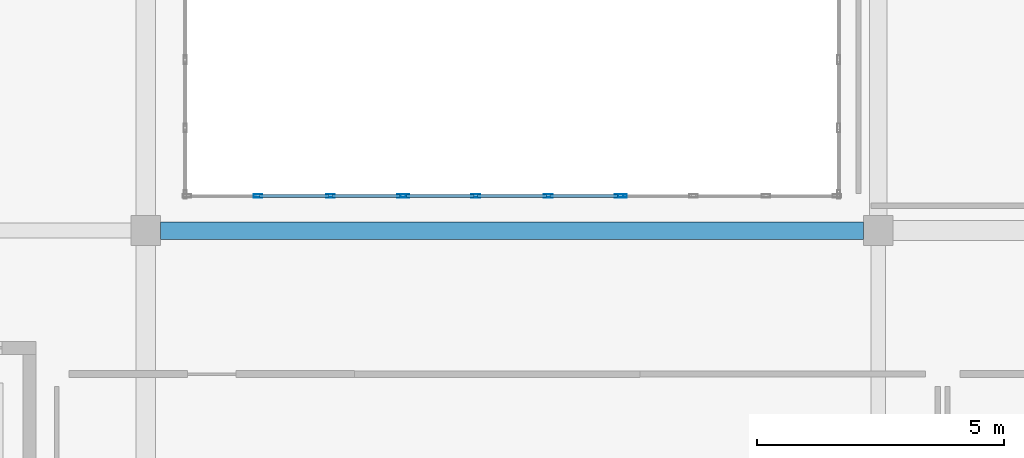
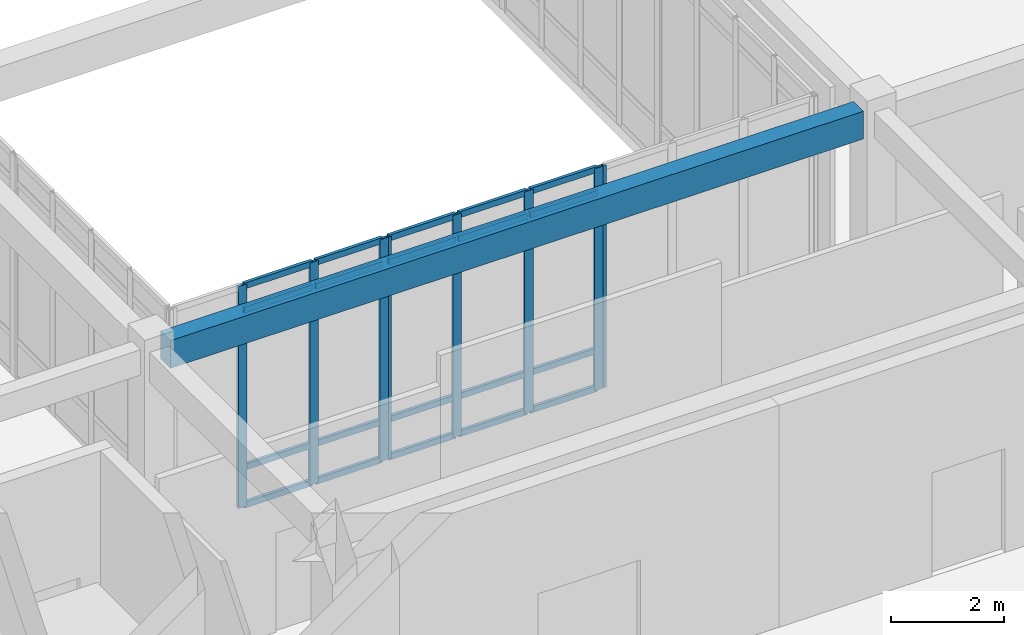
# One storey, part 50 of 121: 28 members, 1 beam, 3 elements without a shape of their own.
"""IFC4 building model written with IfcOpenShell, lengths in metres."""

from ifc_helpers import new_model, si_unit, direction, frame, origin, origin_2d, place, context, subcontext, project, spatial, rectangle, hollow_rectangle, extrude, material, layer, layer_set, material_profile, profile_set, type_object, element, aggregate, save


model = new_model("IFC4")

# Units and contexts
model_context = context("Model", 3, precision=1e-05, world=origin(), true_north=direction((0.0, 1.0)))
body_context = subcontext(model_context, "Body", "Model", "MODEL_VIEW")
ifc_project = project(units=[si_unit("LENGTHUNIT", "METRE"), si_unit("AREAUNIT", "SQUARE_METRE"), si_unit("VOLUMEUNIT", "CUBIC_METRE"), si_unit("PLANEANGLEUNIT", "RADIAN"), si_unit("MASSUNIT", "GRAM", prefix="KILO")], contexts=[model_context])

# Site, building, storey
site_placement = place(None, origin())
site = spatial("IfcSite", under=ifc_project, at=site_placement, CompositionType="ELEMENT")
building_placement = place(site_placement, origin())
building = spatial("IfcBuilding", under=site, at=building_placement, Name="Valcora Specialist Clinic", CompositionType="ELEMENT")
storey_placement = place(building_placement, origin())
storey = spatial("IfcBuildingStorey", under=building, at=storey_placement, Name="L00", CompositionType="ELEMENT", Elevation=0.0)

# Beam
ifc_material_1 = material(Name="Concrete C40/50", Category="concrete")
ifc_material_profile_1 = material_profile(ifc_material_1, rectangle(XDim=0.35009765625, YDim=0.60009765625, at=origin_2d()), Name="RC-BM-350X600")
ifc_profile_set_1 = profile_set([ifc_material_profile_1], Name="Concrete C40/50")
beam_type = type_object("IfcBeamType", Name="TY-BM-RC350X600", PredefinedType="BEAM", material=ifc_profile_set_1)
beam_placement = place(storey_placement, frame((76.300048828125, 81.300048828125, 4.510009765625), z_axis=(1.0, 0.0, 0.0), x_axis=(0.0, 1.0, 0.0)))
element("IfcBeam", 1, at=beam_placement, inside=storey, type_object=beam_type, Name="Beam BM-L00-0542", PredefinedType="BEAM", context=body_context, shape_type="SweptSolid", body=[
    extrude(rectangle(XDim=0.35009765625, YDim=0.60009765625, at=origin_2d()), origin(), (0.0, 0.0, 1.0), 14.199951171875),
])

# Curtain wall, members
ifc_material_2 = material(Name="Anodized Bronze Aluminium 6063-T6", Category="aluminium")
ifc_layer = layer(ifc_material_2, 0.175048828125)
ifc_layer_set = layer_set([ifc_layer], Name="Anodized Bronze Aluminium 6063-T6")
curtain_wall_type = type_object("IfcCurtainWallType", Name="TY-CW-CRT15", PredefinedType="NOTDEFINED", material=ifc_layer_set)
curtain_wall_1_placement = place(storey_placement, origin())
curtain_wall_1 = element("IfcCurtainWall", 2, at=curtain_wall_1_placement, inside=storey, type_object=curtain_wall_type, Name="Curtain wall CW-L00-029", PredefinedType="NOTDEFINED")
ifc_material_profile_2 = material_profile(ifc_material_2, hollow_rectangle(XDim=0.06494140625, YDim=0.175048828125, WallThickness=0.00390625, at=origin_2d()), Name="AL-MUL-65X175")
ifc_profile_set_2 = profile_set([ifc_material_profile_2], Name="Anodized Bronze Aluminium 6063-T6")
member_type_1 = type_object("IfcMemberType", Name="TY-CWM-65X175", PredefinedType="MULLION", material=ifc_profile_set_2)
member_1_placement = place(storey_placement, frame((78.2666015625, 82.0, 0.0), z_axis=(0.0, 0.0, 1.0), x_axis=(0.0, 1.0, 0.0)))
member_1 = element("IfcMember", 3, at=member_1_placement, type_object=member_type_1, Name="CW-CRT-15 mullion 2", PredefinedType="MULLION", context=body_context, shape_type="SweptSolid", body=[
    extrude(hollow_rectangle(XDim=0.06494140625, YDim=0.175048828125, WallThickness=0.00390625, at=origin_2d()), origin(), (0.0, 0.0, 1.0), 4.81005859375),
])
member_2_placement = place(storey_placement, frame((79.7333984375, 82.0, 0.0), z_axis=(0.0, 0.0, 1.0), x_axis=(0.0, 1.0, 0.0)))
member_2 = element("IfcMember", 4, at=member_2_placement, type_object=member_type_1, Name="CW-CRT-15 mullion 3", PredefinedType="MULLION", context=body_context, shape_type="SweptSolid", body=[
    extrude(hollow_rectangle(XDim=0.06494140625, YDim=0.175048828125, WallThickness=0.00390625, at=origin_2d()), origin(), (0.0, 0.0, 1.0), 4.81005859375),
])
member_3_placement = place(storey_placement, frame((81.16748046875, 82.0, 0.0), z_axis=(0.0, 0.0, 1.0), x_axis=(0.0, 1.0, 0.0)))
member_3 = element("IfcMember", 5, at=member_3_placement, type_object=member_type_1, Name="CW-CRT-15 mullion 4", PredefinedType="MULLION", context=body_context, shape_type="SweptSolid", body=[
    extrude(hollow_rectangle(XDim=0.06494140625, YDim=0.175048828125, WallThickness=0.00390625, at=origin_2d()), origin(), (0.0, 0.0, 1.0), 4.81005859375),
])

curtain_wall_2_placement = place(storey_placement, origin())
curtain_wall_2 = element("IfcCurtainWall", 6, at=curtain_wall_2_placement, inside=storey, type_object=curtain_wall_type, Name="Curtain wall CW-L00-030", PredefinedType="NOTDEFINED")
member_4_placement = place(storey_placement, frame((81.232421875, 82.0, 0.0), z_axis=(0.0, 0.0, 1.0), x_axis=(0.0, 1.0, 0.0)))
member_4 = element("IfcMember", 7, at=member_4_placement, type_object=member_type_1, Name="CW-CRT-15 mullion 1", PredefinedType="MULLION", context=body_context, shape_type="SweptSolid", body=[
    extrude(hollow_rectangle(XDim=0.06494140625, YDim=0.175048828125, WallThickness=0.00390625, at=origin_2d()), origin(), (0.0, 0.0, 1.0), 4.81005859375),
])
member_5_placement = place(storey_placement, frame((82.666748046875, 82.0, 0.0), z_axis=(0.0, 0.0, 1.0), x_axis=(0.0, 1.0, 0.0)))
member_5 = element("IfcMember", 8, at=member_5_placement, type_object=member_type_1, Name="CW-CRT-15 mullion 2", PredefinedType="MULLION", context=body_context, shape_type="SweptSolid", body=[
    extrude(hollow_rectangle(XDim=0.06494140625, YDim=0.175048828125, WallThickness=0.00390625, at=origin_2d()), origin(), (0.0, 0.0, 1.0), 4.81005859375),
])
member_6_placement = place(storey_placement, frame((84.13330078125, 82.0, 0.0), z_axis=(0.0, 0.0, 1.0), x_axis=(0.0, 1.0, 0.0)))
member_6 = element("IfcMember", 9, at=member_6_placement, type_object=member_type_1, Name="CW-CRT-15 mullion 3", PredefinedType="MULLION", context=body_context, shape_type="SweptSolid", body=[
    extrude(hollow_rectangle(XDim=0.06494140625, YDim=0.175048828125, WallThickness=0.00390625, at=origin_2d()), origin(), (0.0, 0.0, 1.0), 4.81005859375),
])
member_7_placement = place(storey_placement, frame((85.5673828125, 82.0, 0.0), z_axis=(0.0, 0.0, 1.0), x_axis=(0.0, 1.0, 0.0)))
member_7 = element("IfcMember", 10, at=member_7_placement, type_object=member_type_1, Name="CW-CRT-15 mullion 4", PredefinedType="MULLION", context=body_context, shape_type="SweptSolid", body=[
    extrude(hollow_rectangle(XDim=0.06494140625, YDim=0.175048828125, WallThickness=0.00390625, at=origin_2d()), origin(), (0.0, 0.0, 1.0), 4.81005859375),
])

# Curtain wall, member
curtain_wall_3_placement = place(storey_placement, origin())
curtain_wall_3 = element("IfcCurtainWall", 11, at=curtain_wall_3_placement, inside=storey, type_object=curtain_wall_type, Name="Curtain wall CW-L00-031", PredefinedType="NOTDEFINED")
member_8_placement = place(storey_placement, frame((85.632568359375, 82.0, 0.0), z_axis=(0.0, 0.0, 1.0), x_axis=(0.0, 1.0, 0.0)))
member_8 = element("IfcMember", 12, at=member_8_placement, type_object=member_type_1, Name="CW-CRT-15 mullion 1", PredefinedType="MULLION", context=body_context, shape_type="SweptSolid", body=[
    extrude(hollow_rectangle(XDim=0.06494140625, YDim=0.175048828125, WallThickness=0.00390625, at=origin_2d()), origin(), (0.0, 0.0, 1.0), 4.81005859375),
])
aggregate(curtain_wall_3, [member_8])

# Member
ifc_material_profile_3 = material_profile(ifc_material_2, hollow_rectangle(XDim=0.06494140625, YDim=0.1298828125, WallThickness=0.00390625, at=origin_2d()), Name="AL-TRN-65X130")
ifc_profile_set_3 = profile_set([ifc_material_profile_3], Name="Anodized Bronze Aluminium 6063-T6")
member_type_2 = type_object("IfcMemberType", Name="TY-CWT-65X130", PredefinedType="USERDEFINED", material=ifc_profile_set_3)
member_9_placement = place(storey_placement, frame((78.299072265625, 82.0, 0.032470703125), z_axis=(1.0, 0.0, 0.0), x_axis=(0.0, 1.0, 0.0)))
member_9 = element("IfcMember", 13, at=member_9_placement, type_object=member_type_2, Name="CW-CRT-15 transom 2.1", ObjectType="TRANSOM", PredefinedType="USERDEFINED", context=body_context, shape_type="SweptSolid", body=[
    extrude(hollow_rectangle(XDim=0.06494140625, YDim=0.1298828125, WallThickness=0.00390625, at=origin_2d()), origin(), (0.0, 0.0, 1.0), 1.40185546875),
])

member_10_placement = place(storey_placement, frame((78.299072265625, 82.0, 0.85009765625), z_axis=(1.0, 0.0, 0.0), x_axis=(0.0, 1.0, 0.0)))
member_10 = element("IfcMember", 14, at=member_10_placement, type_object=member_type_2, Name="CW-CRT-15 transom 2.2", ObjectType="TRANSOM", PredefinedType="USERDEFINED", context=body_context, shape_type="SweptSolid", body=[
    extrude(hollow_rectangle(XDim=0.06494140625, YDim=0.1298828125, WallThickness=0.00390625, at=origin_2d()), origin(), (0.0, 0.0, 1.0), 1.40185546875),
])

member_11_placement = place(storey_placement, frame((78.299072265625, 82.0, 4.260009765625), z_axis=(1.0, 0.0, 0.0), x_axis=(0.0, 1.0, 0.0)))
member_11 = element("IfcMember", 15, at=member_11_placement, type_object=member_type_2, Name="CW-CRT-15 transom 2.3", ObjectType="TRANSOM", PredefinedType="USERDEFINED", context=body_context, shape_type="SweptSolid", body=[
    extrude(hollow_rectangle(XDim=0.06494140625, YDim=0.1298828125, WallThickness=0.00390625, at=origin_2d()), origin(), (0.0, 0.0, 1.0), 1.40185546875),
])

member_12_placement = place(storey_placement, frame((78.299072265625, 82.0, 4.777587890625), z_axis=(1.0, 0.0, 0.0), x_axis=(0.0, 1.0, 0.0)))
member_12 = element("IfcMember", 16, at=member_12_placement, type_object=member_type_2, Name="CW-CRT-15 transom 2.4", ObjectType="TRANSOM", PredefinedType="USERDEFINED", context=body_context, shape_type="SweptSolid", body=[
    extrude(hollow_rectangle(XDim=0.06494140625, YDim=0.1298828125, WallThickness=0.00390625, at=origin_2d()), origin(), (0.0, 0.0, 1.0), 1.40185546875),
])

member_13_placement = place(storey_placement, frame((79.765869140625, 82.0, 0.032470703125), z_axis=(1.0, 0.0, 0.0), x_axis=(0.0, 1.0, 0.0)))
member_13 = element("IfcMember", 17, at=member_13_placement, type_object=member_type_2, Name="CW-CRT-15 transom 3.1", ObjectType="TRANSOM", PredefinedType="USERDEFINED", context=body_context, shape_type="SweptSolid", body=[
    extrude(hollow_rectangle(XDim=0.06494140625, YDim=0.1298828125, WallThickness=0.00390625, at=origin_2d()), origin(), (0.0, 0.0, 1.0), 1.369140625),
])

member_14_placement = place(storey_placement, frame((79.765869140625, 82.0, 0.85009765625), z_axis=(1.0, 0.0, 0.0), x_axis=(0.0, 1.0, 0.0)))
member_14 = element("IfcMember", 18, at=member_14_placement, type_object=member_type_2, Name="CW-CRT-15 transom 3.2", ObjectType="TRANSOM", PredefinedType="USERDEFINED", context=body_context, shape_type="SweptSolid", body=[
    extrude(hollow_rectangle(XDim=0.06494140625, YDim=0.1298828125, WallThickness=0.00390625, at=origin_2d()), origin(), (0.0, 0.0, 1.0), 1.369140625),
])

member_15_placement = place(storey_placement, frame((79.765869140625, 82.0, 4.260009765625), z_axis=(1.0, 0.0, 0.0), x_axis=(0.0, 1.0, 0.0)))
member_15 = element("IfcMember", 19, at=member_15_placement, type_object=member_type_2, Name="CW-CRT-15 transom 3.3", ObjectType="TRANSOM", PredefinedType="USERDEFINED", context=body_context, shape_type="SweptSolid", body=[
    extrude(hollow_rectangle(XDim=0.06494140625, YDim=0.1298828125, WallThickness=0.00390625, at=origin_2d()), origin(), (0.0, 0.0, 1.0), 1.369140625),
])

member_16_placement = place(storey_placement, frame((79.765869140625, 82.0, 4.777587890625), z_axis=(1.0, 0.0, 0.0), x_axis=(0.0, 1.0, 0.0)))
member_16 = element("IfcMember", 20, at=member_16_placement, type_object=member_type_2, Name="CW-CRT-15 transom 3.4", ObjectType="TRANSOM", PredefinedType="USERDEFINED", context=body_context, shape_type="SweptSolid", body=[
    extrude(hollow_rectangle(XDim=0.06494140625, YDim=0.1298828125, WallThickness=0.00390625, at=origin_2d()), origin(), (0.0, 0.0, 1.0), 1.369140625),
])

aggregate(curtain_wall_1, [member_1, member_2, member_3, member_9, member_10, member_11, member_12, member_13, member_14, member_15, member_16])

member_17_placement = place(storey_placement, frame((81.264892578125, 82.0, 0.032470703125), z_axis=(1.0, 0.0, 0.0), x_axis=(0.0, 1.0, 0.0)))
member_17 = element("IfcMember", 21, at=member_17_placement, type_object=member_type_2, Name="CW-CRT-15 transom 1.1", ObjectType="TRANSOM", PredefinedType="USERDEFINED", context=body_context, shape_type="SweptSolid", body=[
    extrude(hollow_rectangle(XDim=0.06494140625, YDim=0.1298828125, WallThickness=0.00390625, at=origin_2d()), origin(), (0.0, 0.0, 1.0), 1.369384765625),
])

member_18_placement = place(storey_placement, frame((81.264892578125, 82.0, 0.85009765625), z_axis=(1.0, 0.0, 0.0), x_axis=(0.0, 1.0, 0.0)))
member_18 = element("IfcMember", 22, at=member_18_placement, type_object=member_type_2, Name="CW-CRT-15 transom 1.2", ObjectType="TRANSOM", PredefinedType="USERDEFINED", context=body_context, shape_type="SweptSolid", body=[
    extrude(hollow_rectangle(XDim=0.06494140625, YDim=0.1298828125, WallThickness=0.00390625, at=origin_2d()), origin(), (0.0, 0.0, 1.0), 1.369384765625),
])

member_19_placement = place(storey_placement, frame((81.264892578125, 82.0, 4.260009765625), z_axis=(1.0, 0.0, 0.0), x_axis=(0.0, 1.0, 0.0)))
member_19 = element("IfcMember", 23, at=member_19_placement, type_object=member_type_2, Name="CW-CRT-15 transom 1.3", ObjectType="TRANSOM", PredefinedType="USERDEFINED", context=body_context, shape_type="SweptSolid", body=[
    extrude(hollow_rectangle(XDim=0.06494140625, YDim=0.1298828125, WallThickness=0.00390625, at=origin_2d()), origin(), (0.0, 0.0, 1.0), 1.369384765625),
])

member_20_placement = place(storey_placement, frame((81.264892578125, 82.0, 4.777587890625), z_axis=(1.0, 0.0, 0.0), x_axis=(0.0, 1.0, 0.0)))
member_20 = element("IfcMember", 24, at=member_20_placement, type_object=member_type_2, Name="CW-CRT-15 transom 1.4", ObjectType="TRANSOM", PredefinedType="USERDEFINED", context=body_context, shape_type="SweptSolid", body=[
    extrude(hollow_rectangle(XDim=0.06494140625, YDim=0.1298828125, WallThickness=0.00390625, at=origin_2d()), origin(), (0.0, 0.0, 1.0), 1.369384765625),
])

member_21_placement = place(storey_placement, frame((82.69921875, 82.0, 0.032470703125), z_axis=(1.0, 0.0, 0.0), x_axis=(0.0, 1.0, 0.0)))
member_21 = element("IfcMember", 25, at=member_21_placement, type_object=member_type_2, Name="CW-CRT-15 transom 2.1", ObjectType="TRANSOM", PredefinedType="USERDEFINED", context=body_context, shape_type="SweptSolid", body=[
    extrude(hollow_rectangle(XDim=0.06494140625, YDim=0.1298828125, WallThickness=0.00390625, at=origin_2d()), origin(), (0.0, 0.0, 1.0), 1.401611328125),
])

member_22_placement = place(storey_placement, frame((82.69921875, 82.0, 0.85009765625), z_axis=(1.0, 0.0, 0.0), x_axis=(0.0, 1.0, 0.0)))
member_22 = element("IfcMember", 26, at=member_22_placement, type_object=member_type_2, Name="CW-CRT-15 transom 2.2", ObjectType="TRANSOM", PredefinedType="USERDEFINED", context=body_context, shape_type="SweptSolid", body=[
    extrude(hollow_rectangle(XDim=0.06494140625, YDim=0.1298828125, WallThickness=0.00390625, at=origin_2d()), origin(), (0.0, 0.0, 1.0), 1.401611328125),
])

member_23_placement = place(storey_placement, frame((82.69921875, 82.0, 4.260009765625), z_axis=(1.0, 0.0, 0.0), x_axis=(0.0, 1.0, 0.0)))
member_23 = element("IfcMember", 27, at=member_23_placement, type_object=member_type_2, Name="CW-CRT-15 transom 2.3", ObjectType="TRANSOM", PredefinedType="USERDEFINED", context=body_context, shape_type="SweptSolid", body=[
    extrude(hollow_rectangle(XDim=0.06494140625, YDim=0.1298828125, WallThickness=0.00390625, at=origin_2d()), origin(), (0.0, 0.0, 1.0), 1.401611328125),
])

member_24_placement = place(storey_placement, frame((82.69921875, 82.0, 4.777587890625), z_axis=(1.0, 0.0, 0.0), x_axis=(0.0, 1.0, 0.0)))
member_24 = element("IfcMember", 28, at=member_24_placement, type_object=member_type_2, Name="CW-CRT-15 transom 2.4", ObjectType="TRANSOM", PredefinedType="USERDEFINED", context=body_context, shape_type="SweptSolid", body=[
    extrude(hollow_rectangle(XDim=0.06494140625, YDim=0.1298828125, WallThickness=0.00390625, at=origin_2d()), origin(), (0.0, 0.0, 1.0), 1.401611328125),
])

member_25_placement = place(storey_placement, frame((84.165771484375, 82.0, 0.032470703125), z_axis=(1.0, 0.0, 0.0), x_axis=(0.0, 1.0, 0.0)))
member_25 = element("IfcMember", 29, at=member_25_placement, type_object=member_type_2, Name="CW-CRT-15 transom 3.1", ObjectType="TRANSOM", PredefinedType="USERDEFINED", context=body_context, shape_type="SweptSolid", body=[
    extrude(hollow_rectangle(XDim=0.06494140625, YDim=0.1298828125, WallThickness=0.00390625, at=origin_2d()), origin(), (0.0, 0.0, 1.0), 1.369140625),
])

member_26_placement = place(storey_placement, frame((84.165771484375, 82.0, 0.85009765625), z_axis=(1.0, 0.0, 0.0), x_axis=(0.0, 1.0, 0.0)))
member_26 = element("IfcMember", 30, at=member_26_placement, type_object=member_type_2, Name="CW-CRT-15 transom 3.2", ObjectType="TRANSOM", PredefinedType="USERDEFINED", context=body_context, shape_type="SweptSolid", body=[
    extrude(hollow_rectangle(XDim=0.06494140625, YDim=0.1298828125, WallThickness=0.00390625, at=origin_2d()), origin(), (0.0, 0.0, 1.0), 1.369140625),
])

member_27_placement = place(storey_placement, frame((84.165771484375, 82.0, 4.260009765625), z_axis=(1.0, 0.0, 0.0), x_axis=(0.0, 1.0, 0.0)))
member_27 = element("IfcMember", 31, at=member_27_placement, type_object=member_type_2, Name="CW-CRT-15 transom 3.3", ObjectType="TRANSOM", PredefinedType="USERDEFINED", context=body_context, shape_type="SweptSolid", body=[
    extrude(hollow_rectangle(XDim=0.06494140625, YDim=0.1298828125, WallThickness=0.00390625, at=origin_2d()), origin(), (0.0, 0.0, 1.0), 1.369140625),
])

member_28_placement = place(storey_placement, frame((84.165771484375, 82.0, 4.777587890625), z_axis=(1.0, 0.0, 0.0), x_axis=(0.0, 1.0, 0.0)))
member_28 = element("IfcMember", 32, at=member_28_placement, type_object=member_type_2, Name="CW-CRT-15 transom 3.4", ObjectType="TRANSOM", PredefinedType="USERDEFINED", context=body_context, shape_type="SweptSolid", body=[
    extrude(hollow_rectangle(XDim=0.06494140625, YDim=0.1298828125, WallThickness=0.00390625, at=origin_2d()), origin(), (0.0, 0.0, 1.0), 1.369140625),
])

aggregate(curtain_wall_2, [member_4, member_5, member_6, member_7, member_17, member_18, member_19, member_20, member_21, member_22, member_23, member_24, member_25, member_26, member_27, member_28])

save(model, "model.ifc")
